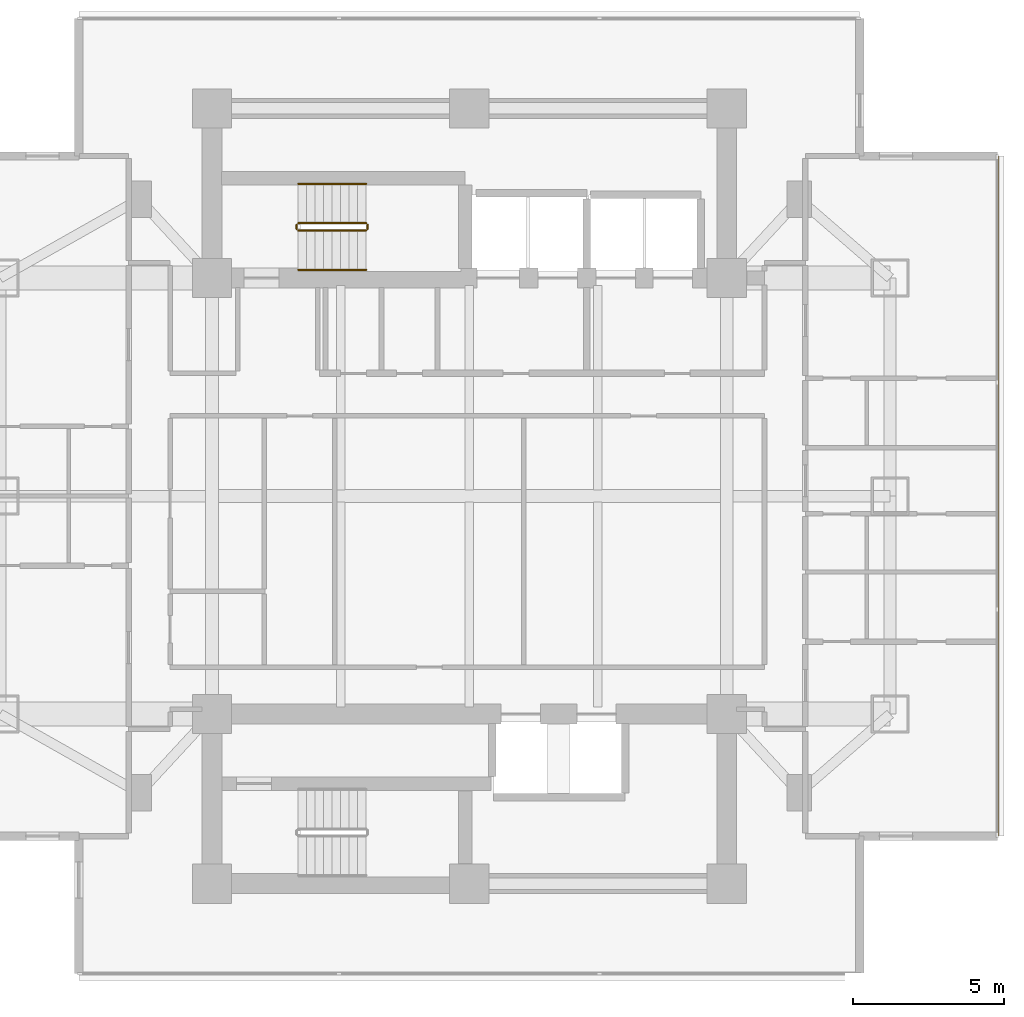
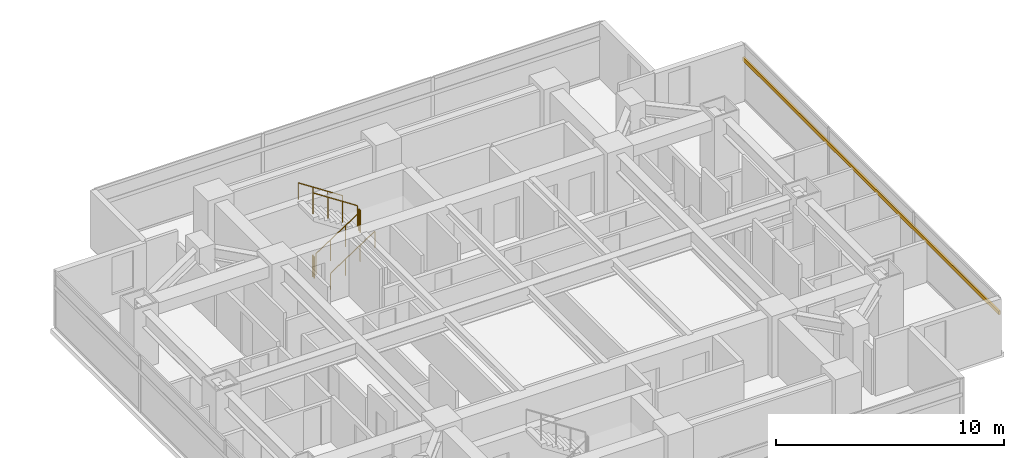
# One storey, part 26 of 27: 6 railings, 1 shading device.
"""IFC4 building model written with IfcOpenShell, lengths in metres."""

from ifc_helpers import new_model, si_unit, direction, frame, origin, origin_2d, place, context, subcontext, project, spatial, rectangle, circle, extrude, material, material_profile, profile_set, type_object, element, save


model = new_model("IFC4")

# Units and contexts
model_context = context("Model", 3, precision=1e-05, world=origin(), true_north=direction((0.0, 1.0)))
body_context = subcontext(model_context, "Body", "Model", "MODEL_VIEW")
ifc_project = project(units=[si_unit("LENGTHUNIT", "METRE"), si_unit("AREAUNIT", "SQUARE_METRE"), si_unit("VOLUMEUNIT", "CUBIC_METRE"), si_unit("PLANEANGLEUNIT", "RADIAN"), si_unit("MASSUNIT", "GRAM", prefix="KILO")], contexts=[model_context])

# Site, building, storey
site_placement = place(None, origin())
site = spatial("IfcSite", under=ifc_project, at=site_placement, CompositionType="ELEMENT")
building_placement = place(site_placement, origin())
building = spatial("IfcBuilding", under=site, at=building_placement, Name="Mirazonda Arch Towers", CompositionType="ELEMENT")
storey_placement = place(building_placement, frame((0.0, 0.0, 52.10009765625)))
storey = spatial("IfcBuildingStorey", under=building, at=storey_placement, Name="L14", CompositionType="ELEMENT", Elevation=52.10009765625)

# Shading device
ifc_material_1 = material(Name="Kiln-Fired Architectural Terracotta", Category="masonry")
ifc_material_profile = material_profile(ifc_material_1, rectangle(XDim=0.10009765625, YDim=0.199951171875, at=origin_2d()), Name="TERRA-BAG-100x200")
ifc_profile_set = profile_set([ifc_material_profile], Name="Kiln-Fired Architectural Terracotta")
shading_device_type = type_object("IfcShadingDeviceType", Name="BAGUETTE-2", PredefinedType="USERDEFINED", material=ifc_profile_set)
shading_device_placement = place(storey_placement, frame((93.93994140625, 16.77001953125, 2.188720703125), z_axis=(0.0, 1.0, 0.0), x_axis=(-1.0, 0.0, 0.0)))
element("IfcShadingDevice", 1, at=shading_device_placement, inside=storey, type_object=shading_device_type, Name="L14 Glazed Terracotta Sun-Screen Baguette CW-L14-T2-E", ObjectType="BAGUETTE", PredefinedType="USERDEFINED", context=body_context, shape_type="SweptSolid", body=[
    extrude(rectangle(XDim=0.10009765625, YDim=0.199951171875, at=origin_2d()), origin(), (0.0, 0.0, 1.0), 22.4599609375),
])

# Railings
ifc_material_2 = material(Name="Architectural Brushed Steel S355", Category="steel")
railing_type_1 = type_object("IfcRailingType", Name="GUARD-STAIR-1120", PredefinedType="GUARDRAIL", material=ifc_material_2)
railing_1_placement = place(storey_placement, frame((70.85009765625, 36.77001953125, 0.183349609375)))
element("IfcRailing", 2, at=railing_1_placement, inside=storey, type_object=railing_type_1, Name="L14 ST-T2N stair guard 1", PredefinedType="GUARDRAIL", context=body_context, shape_type="SweptSolid", body=[
    extrude(circle(Radius=0.02392578125, at=origin_2d()), frame((0.0, 0.0, 1.1259765625), z_axis=(0.836636935527, 0.0, 0.547757827979), x_axis=(0.0, 1.0, 0.0)), (0.0, 0.0, 1.0), 2.677490234375),
    extrude(circle(Radius=0.02099609375, at=origin_2d()), origin(), (0.0, 0.0, 1.0), 1.101806640625),
    extrude(circle(Radius=0.02099609375, at=origin_2d()), frame((0.74658203125, 0.0, 0.48876953125)), (0.0, 0.0, 1.0), 1.101806640625),
    extrude(circle(Radius=0.02099609375, at=origin_2d()), frame((1.493408203125, 0.0, 0.977783203125)), (0.0, 0.0, 1.0), 1.101806640625),
    extrude(circle(Radius=0.02099609375, at=origin_2d()), frame((2.239990234375, 0.0, 1.466552734375)), (0.0, 0.0, 1.0), 1.101806640625),
])
railing_2_placement = place(storey_placement, frame((73.139892578125, 36.820068359375, 1.64990234375)))
element("IfcRailing", 3, at=railing_2_placement, inside=storey, type_object=railing_type_1, Name="L14 ST-T2N stair guard 2", PredefinedType="GUARDRAIL", context=body_context, shape_type="SweptSolid", body=[
    extrude(circle(Radius=0.02392578125, at=origin_2d()), frame((0.0, 0.0, 1.1259765625), z_axis=(0.0, 1.0, 0.0), x_axis=(-1.0, 0.0, 0.0)), (0.0, 0.0, 1.0), 0.139892578125),
    extrude(circle(Radius=0.02099609375, at=origin_2d()), origin(), (0.0, 0.0, 1.0), 1.101806640625),
    extrude(circle(Radius=0.02099609375, at=origin_2d()), frame((0.0, 0.139892578125, 0.0)), (0.0, 0.0, 1.0), 1.101806640625),
])
railing_3_placement = place(storey_placement, frame((73.090087890625, 37.010009765625, 1.833251953125)))
element("IfcRailing", 4, at=railing_3_placement, inside=storey, type_object=railing_type_1, Name="L14 ST-T2N stair guard 3", PredefinedType="GUARDRAIL", context=body_context, shape_type="SweptSolid", body=[
    extrude(circle(Radius=0.02392578125, at=origin_2d()), frame((0.0, 0.0, 1.1259765625), z_axis=(-0.836636935527, 0.0, 0.547757827979), x_axis=(0.0, -1.0, 0.0)), (0.0, 0.0, 1.0), 2.677490234375),
    extrude(circle(Radius=0.02099609375, at=origin_2d()), origin(), (0.0, 0.0, 1.0), 1.101806640625),
    extrude(circle(Radius=0.02099609375, at=origin_2d()), frame((-0.74658203125, 0.0, 0.48876953125)), (0.0, 0.0, 1.0), 1.101806640625),
    extrude(circle(Radius=0.02099609375, at=origin_2d()), frame((-1.493408203125, 0.0, 0.977783203125)), (0.0, 0.0, 1.0), 1.101806640625),
    extrude(circle(Radius=0.02099609375, at=origin_2d()), frame((-2.239990234375, 0.0, 1.466552734375)), (0.0, 0.0, 1.0), 1.101806640625),
])
railing_4_placement = place(storey_placement, frame((70.800048828125, 36.820068359375, 0.0)))
element("IfcRailing", 5, at=railing_4_placement, inside=storey, type_object=railing_type_1, Name="L14 ST-T2N stair guard 4", PredefinedType="GUARDRAIL", context=body_context, shape_type="SweptSolid", body=[
    extrude(circle(Radius=0.02392578125, at=origin_2d()), frame((0.0, 0.0, 1.1259765625), z_axis=(0.0, 1.0, 0.0), x_axis=(-1.0, 0.0, 0.0)), (0.0, 0.0, 1.0), 0.139892578125),
    extrude(circle(Radius=0.02099609375, at=origin_2d()), origin(), (0.0, 0.0, 1.0), 1.101806640625),
    extrude(circle(Radius=0.02099609375, at=origin_2d()), frame((0.0, 0.139892578125, 0.0)), (0.0, 0.0, 1.0), 1.101806640625),
])
railing_type_2 = type_object("IfcRailingType", Name="HANDRAIL-915", PredefinedType="HANDRAIL", material=ifc_material_2)
railing_5_placement = place(storey_placement, frame((70.85009765625, 35.469970703125, 0.183349609375)))
element("IfcRailing", 6, at=railing_5_placement, inside=storey, type_object=railing_type_2, Name="L14 ST-T2N stair handrail 1", PredefinedType="HANDRAIL", context=body_context, shape_type="SweptSolid", body=[
    extrude(circle(Radius=0.02392578125, at=origin_2d()), frame((0.0, 0.0, 0.8759765625), z_axis=(0.836636935527, 0.0, 0.547757827979), x_axis=(0.0, 1.0, 0.0)), (0.0, 0.0, 1.0), 2.677490234375),
    extrude(circle(Radius=0.02099609375, at=origin_2d()), origin(), (0.0, 0.0, 1.0), 0.851806640625),
    extrude(circle(Radius=0.02099609375, at=origin_2d()), frame((0.74658203125, 0.0, 0.48876953125)), (0.0, 0.0, 1.0), 0.851806640625),
    extrude(circle(Radius=0.02099609375, at=origin_2d()), frame((1.493408203125, 0.0, 0.977783203125)), (0.0, 0.0, 1.0), 0.851806640625),
    extrude(circle(Radius=0.02099609375, at=origin_2d()), frame((2.239990234375, 0.0, 1.466552734375)), (0.0, 0.0, 1.0), 0.851806640625),
])
railing_6_placement = place(storey_placement, frame((73.090087890625, 38.31005859375, 1.833251953125)))
element("IfcRailing", 7, at=railing_6_placement, inside=storey, type_object=railing_type_2, Name="L14 ST-T2N stair handrail 2", PredefinedType="HANDRAIL", context=body_context, shape_type="SweptSolid", body=[
    extrude(circle(Radius=0.02392578125, at=origin_2d()), frame((0.0, 0.0, 0.8759765625), z_axis=(-0.836636935527, 0.0, 0.547757827979), x_axis=(0.0, -1.0, 0.0)), (0.0, 0.0, 1.0), 2.677490234375),
    extrude(circle(Radius=0.02099609375, at=origin_2d()), origin(), (0.0, 0.0, 1.0), 0.851806640625),
    extrude(circle(Radius=0.02099609375, at=origin_2d()), frame((-0.74658203125, 0.0, 0.48876953125)), (0.0, 0.0, 1.0), 0.851806640625),
    extrude(circle(Radius=0.02099609375, at=origin_2d()), frame((-1.493408203125, 0.0, 0.977783203125)), (0.0, 0.0, 1.0), 0.851806640625),
    extrude(circle(Radius=0.02099609375, at=origin_2d()), frame((-2.239990234375, 0.0, 1.466552734375)), (0.0, 0.0, 1.0), 0.851806640625),
])

save(model, "model.ifc")
